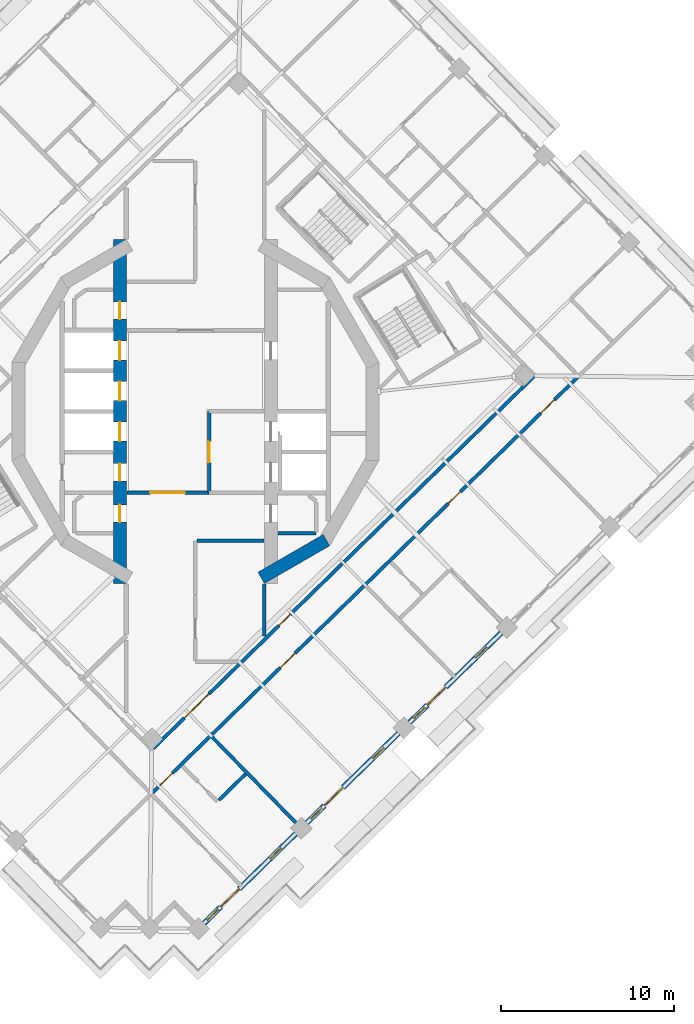
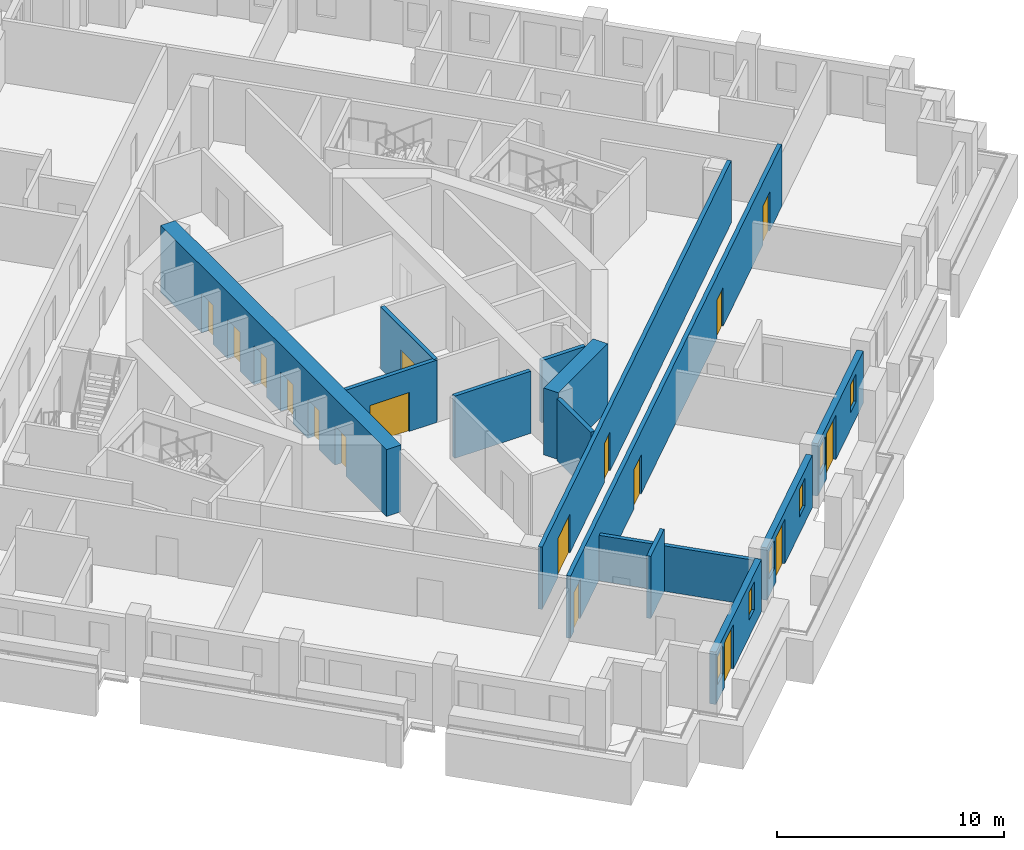
# One storey, part 6 of 17: 17 doors, 14 walls, 6 windows, 23 openings.
"""IFC4 building model written with IfcOpenShell, lengths in metres."""

from ifc_helpers import new_model, si_unit, direction, frame, frame_2d, origin, place, context, subcontext, project, spatial, rectangle, extrude, material, layer, layer_set, type_object, element, fill, save


model = new_model("IFC4")

# Units and contexts
model_context = context("Model", 3, precision=1e-05, world=origin(), true_north=direction((0.0, 1.0)))
body_context = subcontext(model_context, "Body", "Model", "MODEL_VIEW")
ifc_project = project(units=[si_unit("LENGTHUNIT", "METRE"), si_unit("AREAUNIT", "SQUARE_METRE"), si_unit("VOLUMEUNIT", "CUBIC_METRE"), si_unit("PLANEANGLEUNIT", "RADIAN"), si_unit("MASSUNIT", "GRAM", prefix="KILO")], contexts=[model_context])

# Site, building, storey
site_placement = place(None, origin())
site = spatial("IfcSite", under=ifc_project, at=site_placement, CompositionType="ELEMENT")
building_placement = place(site_placement, origin())
building = spatial("IfcBuilding", under=site, at=building_placement, Name="Cantera Rosa Tower", CompositionType="ELEMENT")
storey_placement = place(building_placement, frame((0.0, 0.0, 227.0)))
storey = spatial("IfcBuildingStorey", under=building, at=storey_placement, Name="L49", CompositionType="ELEMENT", Elevation=227.0)

# Wall, openings, doors
ifc_material_1 = material(Name="Gypsum board partition")
ifc_layer_1 = layer(ifc_material_1, 0.199951171875)
ifc_layer_set_1 = layer_set([ifc_layer_1], Name="CORRIDOR WALL 200 H3350")
wall_type_1 = type_object("IfcWallType", Name="CORRIDOR WALL 200 H3350", PredefinedType="PARTITIONING", material=ifc_layer_set_1)
wall_1_placement = place(storey_placement, frame((-2.469970703125, -22.0556640625, 0.0), z_axis=(0.0, 0.0, 1.0), x_axis=(0.715286619748, 0.698831203946, 0.0)))
wall_1 = element("IfcWall", 1, at=wall_1_placement, inside=storey, type_object=wall_type_1, Name="CORRIDOR WALL L49-054", PredefinedType="PARTITIONING", context=body_context, shape_type="SweptSolid", body=[
    extrude(rectangle(XDim=34.47998046875, YDim=0.199951171875, at=frame_2d((17.239990234375, 0.0))), origin(), (0.0, 0.0, 1.0), 3.35009765625),
])
opening_1_placement = place(wall_1_placement, frame((10.340087890625, 0.0, 0.0)))
opening_1 = element("IfcOpeningElement", 2, at=opening_1_placement, cuts=wall_1, Name="Opening L49-043", PredefinedType="OPENING", context=body_context, shape_type="SweptSolid", body=[
    extrude(rectangle(XDim=1.199951171875, YDim=2.10009765625, at=frame_2d((0.60009765625, 1.050048828125))), frame((0.0, 0.10986328125, 0.0), z_axis=(0.0, -1.0, 0.0), x_axis=(1.0, 0.0, 0.0)), (0.0, 0.0, 1.0), 0.219970703125),
])
opening_2_placement = place(wall_1_placement, frame((23.919921875, 0.0, 0.0)))
opening_2 = element("IfcOpeningElement", 3, at=opening_2_placement, cuts=wall_1, Name="Opening L49-044", PredefinedType="OPENING", context=body_context, shape_type="SweptSolid", body=[
    extrude(rectangle(XDim=1.0, YDim=2.10009765625, at=frame_2d((0.5, 1.050048828125))), frame((0.0, 0.10986328125, 0.0), z_axis=(0.0, -1.0, 0.0), x_axis=(1.0, 0.0, 0.0)), (0.0, 0.0, 1.0), 0.219970703125),
])
opening_3_placement = place(wall_1_placement, frame((0.590087890625, 0.0, 0.0)))
opening_3 = element("IfcOpeningElement", 4, at=opening_3_placement, cuts=wall_1, Name="Opening L49-047", PredefinedType="OPENING", context=body_context, shape_type="SweptSolid", body=[
    extrude(rectangle(XDim=1.0, YDim=2.10009765625, at=frame_2d((0.5, 1.050048828125))), frame((0.0, 0.10986328125, 0.0), z_axis=(0.0, -1.0, 0.0), x_axis=(1.0, 0.0, 0.0)), (0.0, 0.0, 1.0), 0.219970703125),
])
opening_4_placement = place(wall_1_placement, frame((31.429931640625, 0.0, 0.0)))
opening_4 = element("IfcOpeningElement", 5, at=opening_4_placement, cuts=wall_1, Name="Opening L49-050", PredefinedType="OPENING", context=body_context, shape_type="SweptSolid", body=[
    extrude(rectangle(XDim=1.10009765625, YDim=2.10009765625, at=frame_2d((0.550048828125, 1.050048828125))), frame((0.0, 0.10986328125, 0.0), z_axis=(0.0, -1.0, 0.0), x_axis=(1.0, 0.0, 0.0)), (0.0, 0.0, 1.0), 0.219970703125),
])
ifc_material_2 = material(Name="Timber door leaf", Category="wood")
door_type_1 = type_object("IfcDoorType", Name="ENTRANCE DOOR 1000x2100", OperationType="NOTDEFINED", PredefinedType="DOOR", material=ifc_material_2)
door_1_placement = place(opening_2_placement, origin())
door_1 = element("IfcDoor", 6, at=door_1_placement, inside=storey, type_object=door_type_1, Name="DOOR L49-044", OperationType="NOTDEFINED", OverallHeight=2.10009765625, OverallWidth=1.0, PredefinedType="DOOR", context=body_context, shape_type="SweptSolid", body=[
    extrude(rectangle(XDim=1.0, YDim=2.10009765625, at=frame_2d((0.5, 1.050048828125))), frame((0.0, 0.02490234375, 0.0), z_axis=(0.0, -1.0, 0.0), x_axis=(1.0, 0.0, 0.0)), (0.0, 0.0, 1.0), 0.050048828125),
])
fill(opening_2, door_1)
door_2_placement = place(opening_3_placement, origin())
door_2 = element("IfcDoor", 7, at=door_2_placement, inside=storey, type_object=door_type_1, Name="DOOR L49-047", OperationType="NOTDEFINED", OverallHeight=2.10009765625, OverallWidth=1.0, PredefinedType="DOOR", context=body_context, shape_type="SweptSolid", body=[
    extrude(rectangle(XDim=1.0, YDim=2.10009765625, at=frame_2d((0.5, 1.050048828125))), frame((0.0, 0.02490234375, 0.0), z_axis=(0.0, -1.0, 0.0), x_axis=(1.0, 0.0, 0.0)), (0.0, 0.0, 1.0), 0.050048828125),
])
fill(opening_3, door_2)
ifc_material_3 = material(Name="Timber door leaf", Category="wood")
door_type_2 = type_object("IfcDoorType", Name="ROOM DOOR 1100x2100", OperationType="NOTDEFINED", PredefinedType="DOOR", material=ifc_material_3)
door_3_placement = place(opening_4_placement, origin())
door_3 = element("IfcDoor", 8, at=door_3_placement, inside=storey, type_object=door_type_2, Name="DOOR L49-050", OperationType="NOTDEFINED", OverallHeight=2.10009765625, OverallWidth=1.10009765625, PredefinedType="DOOR", context=body_context, shape_type="SweptSolid", body=[
    extrude(rectangle(XDim=1.10009765625, YDim=2.10009765625, at=frame_2d((0.550048828125, 1.050048828125))), frame((0.0, 0.02490234375, 0.0), z_axis=(0.0, -1.0, 0.0), x_axis=(1.0, 0.0, 0.0)), (0.0, 0.0, 1.0), 0.050048828125),
])
fill(opening_4, door_3)
ifc_material_4 = material(Name="Timber door leaf", Category="wood")
door_type_3 = type_object("IfcDoorType", Name="ROOM DOOR 1200x2100", OperationType="NOTDEFINED", PredefinedType="DOOR", material=ifc_material_4)
door_4_placement = place(opening_1_placement, origin())
door_4 = element("IfcDoor", 9, at=door_4_placement, inside=storey, type_object=door_type_3, Name="DOOR L49-043", OperationType="NOTDEFINED", OverallHeight=2.10009765625, OverallWidth=1.199951171875, PredefinedType="DOOR", context=body_context, shape_type="SweptSolid", body=[
    extrude(rectangle(XDim=1.199951171875, YDim=2.10009765625, at=frame_2d((0.60009765625, 1.050048828125))), frame((0.0, 0.02490234375, 0.0), z_axis=(0.0, -1.0, 0.0), x_axis=(1.0, 0.0, 0.0)), (0.0, 0.0, 1.0), 0.050048828125),
])
fill(opening_1, door_4)

wall_2_placement = place(storey_placement, frame((-2.4404296875, -19.51025390625, 0.0), z_axis=(0.0, 0.0, 1.0), x_axis=(0.715289138653, 0.698828625719, 0.0)))
wall_2 = element("IfcWall", 10, at=wall_2_placement, inside=storey, type_object=wall_type_1, Name="CORRIDOR WALL L49-055", PredefinedType="PARTITIONING", context=body_context, shape_type="SweptSolid", body=[
    extrude(rectangle(XDim=30.880126953125, YDim=0.199951171875, at=frame_2d((15.43994140625, 0.0))), origin(), (0.0, 0.0, 1.0), 3.35009765625),
])
opening_5_placement = place(wall_2_placement, frame((10.1845703125, 0.0, 0.0)))
opening_5 = element("IfcOpeningElement", 11, at=opening_5_placement, cuts=wall_2, Name="Opening L49-012", PredefinedType="OPENING", context=body_context, shape_type="SweptSolid", body=[
    extrude(rectangle(XDim=0.89990234375, YDim=2.10009765625, at=frame_2d((0.449951171875, 1.050048828125))), frame((0.0, 0.10986328125, 0.0), z_axis=(0.0, -1.0, 0.0), x_axis=(1.0, 0.0, 0.0)), (0.0, 0.0, 1.0), 0.219970703125),
])
opening_6_placement = place(wall_2_placement, frame((2.52490234375, 0.0, 0.0)))
opening_6 = element("IfcOpeningElement", 12, at=opening_6_placement, cuts=wall_2, Name="Opening L49-015", PredefinedType="OPENING", context=body_context, shape_type="SweptSolid", body=[
    extrude(rectangle(XDim=2.0, YDim=2.10009765625, at=frame_2d((1.0, 1.050048828125))), frame((0.0, 0.10986328125, 0.0), z_axis=(0.0, -1.0, 0.0), x_axis=(1.0, 0.0, 0.0)), (0.0, 0.0, 1.0), 0.219970703125),
])
ifc_material_5 = material(Name="Steel S355J2 (EN 10025-2)", Category="steel")
door_type_4 = type_object("IfcDoorType", Name="LOBBY SCREEN DOOR 2000x2100", OperationType="NOTDEFINED", PredefinedType="DOOR", material=ifc_material_5)
door_5_placement = place(opening_6_placement, origin())
door_5 = element("IfcDoor", 13, at=door_5_placement, inside=storey, type_object=door_type_4, Name="DOOR L49-015", OperationType="NOTDEFINED", OverallHeight=2.10009765625, OverallWidth=2.0, PredefinedType="DOOR", context=body_context, shape_type="SweptSolid", body=[
    extrude(rectangle(XDim=2.0, YDim=2.10009765625, at=frame_2d((1.0, 1.050048828125))), frame((0.0, 0.02490234375, 0.0), z_axis=(0.0, -1.0, 0.0), x_axis=(1.0, 0.0, 0.0)), (0.0, 0.0, 1.0), 0.050048828125),
])
fill(opening_6, door_5)
ifc_material_6 = material(Name="Timber door leaf", Category="wood")
door_type_5 = type_object("IfcDoorType", Name="SERVICE DOOR 900x2100", OperationType="NOTDEFINED", PredefinedType="DOOR", material=ifc_material_6)
door_6_placement = place(opening_5_placement, origin())
door_6 = element("IfcDoor", 14, at=door_6_placement, inside=storey, type_object=door_type_5, Name="DOOR L49-012", OperationType="NOTDEFINED", OverallHeight=2.10009765625, OverallWidth=0.89990234375, PredefinedType="DOOR", context=body_context, shape_type="SweptSolid", body=[
    extrude(rectangle(XDim=0.89990234375, YDim=2.10009765625, at=frame_2d((0.449951171875, 1.050048828125))), frame((0.0, 0.02490234375, 0.0), z_axis=(0.0, -1.0, 0.0), x_axis=(1.0, 0.0, 0.0)), (0.0, 0.0, 1.0), 0.050048828125),
])
fill(opening_5, door_6)

# Wall, opening, door
wall_3_placement = place(storey_placement, frame((0.800048828125, -4.699951171875, 0.0), z_axis=(0.0, 0.0, 1.0), x_axis=(-1.0, 0.0, 0.0)))
wall_3 = element("IfcWall", 15, at=wall_3_placement, inside=storey, type_object=wall_type_1, Name="CORRIDOR WALL L49-062", PredefinedType="PARTITIONING", context=body_context, shape_type="SweptSolid", body=[
    extrude(rectangle(XDim=4.77001953125, YDim=0.199951171875, at=frame_2d((2.385009765625, 0.0))), origin(), (0.0, 0.0, 1.0), 3.35009765625),
])
opening_7_placement = place(wall_3_placement, frame((1.39990234375, 0.0, 0.0)))
opening_7 = element("IfcOpeningElement", 16, at=opening_7_placement, cuts=wall_3, Name="Opening L49-016", PredefinedType="OPENING", context=body_context, shape_type="SweptSolid", body=[
    extrude(rectangle(XDim=2.0, YDim=2.10009765625, at=frame_2d((1.0, 1.050048828125))), frame((0.0, 0.10986328125, 0.0), z_axis=(0.0, -1.0, 0.0), x_axis=(1.0, 0.0, 0.0)), (0.0, 0.0, 1.0), 0.219970703125),
])
door_7_placement = place(opening_7_placement, origin())
door_7 = element("IfcDoor", 17, at=door_7_placement, inside=storey, type_object=door_type_4, Name="DOOR L49-016", OperationType="NOTDEFINED", OverallHeight=2.10009765625, OverallWidth=2.0, PredefinedType="DOOR", context=body_context, shape_type="SweptSolid", body=[
    extrude(rectangle(XDim=2.0, YDim=2.10009765625, at=frame_2d((1.0, 1.050048828125))), frame((0.0, 0.02490234375, 0.0), z_axis=(0.0, -1.0, 0.0), x_axis=(1.0, 0.0, 0.0)), (0.0, 0.0, 1.0), 0.050048828125),
])
fill(opening_7, door_7)

# Wall
wall_4_placement = place(storey_placement, frame((3.969970703125, -7.5, 0.0), z_axis=(0.0, 0.0, 1.0), x_axis=(-1.0, 0.0, 0.0)))
element("IfcWall", 18, at=wall_4_placement, inside=storey, type_object=wall_type_1, Name="CORRIDOR WALL L49-071", PredefinedType="PARTITIONING", context=body_context, shape_type="SweptSolid", body=[
    extrude(rectangle(XDim=3.869873046875, YDim=0.199951171875, at=frame_2d((1.93505859375, 0.0))), origin(), (0.0, 0.0, 1.0), 3.35009765625),
])

# Wall, openings, windows, door
ifc_material_7 = material(Name="Hollow clay masonry with cantera stone cladding", Category="masonry")
ifc_layer_2 = layer(ifc_material_7, 0.300048828125)
ifc_layer_set_2 = layer_set([ifc_layer_2], Name="EW-LOGGIA 300 H2820")
wall_type_2 = type_object("IfcWallType", Name="EW-LOGGIA 300 H2820", PredefinedType="SOLIDWALL", material=ifc_layer_set_2)
wall_5_placement = place(storey_placement, frame((0.503662109375, -29.6357421875, 0.0), z_axis=(0.0, 0.0, 1.0), x_axis=(0.715284379566, 0.698833496871, 0.0)))
wall_5 = element("IfcWall", 19, at=wall_5_placement, inside=storey, type_object=wall_type_2, Name="EN-L49-W21", PredefinedType="SOLIDWALL", context=body_context, shape_type="SweptSolid", body=[
    extrude(rectangle(XDim=7.42041015625, YDim=0.300048828125, at=frame_2d((3.710205078125, 0.0))), origin(), (0.0, 0.0, 1.0), 2.820068359375),
])
opening_8_placement = place(wall_5_placement, frame((0.25, 0.0, 0.89990234375)))
opening_8 = element("IfcOpeningElement", 20, at=opening_8_placement, cuts=wall_5, Name="Opening L49-W37", PredefinedType="OPENING", context=body_context, shape_type="SweptSolid", body=[
    extrude(rectangle(XDim=0.89990234375, YDim=1.5, at=frame_2d((0.449951171875, 0.75))), frame((0.0, 0.159912109375, 0.0), z_axis=(0.0, -1.0, 0.0), x_axis=(1.0, 0.0, 0.0)), (0.0, 0.0, 1.0), 0.320068359375),
])
opening_9_placement = place(wall_5_placement, frame((1.35009765625, 0.0, 0.0)))
opening_9 = element("IfcOpeningElement", 21, at=opening_9_placement, cuts=wall_5, Name="Opening L49-TD38", PredefinedType="OPENING", context=body_context, shape_type="SweptSolid", body=[
    extrude(rectangle(XDim=1.5, YDim=2.39990234375, at=frame_2d((0.75, 1.199951171875))), frame((0.0, 0.159912109375, 0.0), z_axis=(0.0, -1.0, 0.0), x_axis=(1.0, 0.0, 0.0)), (0.0, 0.0, 1.0), 0.320068359375),
])
opening_10_placement = place(wall_5_placement, frame((5.340087890625, 0.0, 0.89990234375)))
opening_10 = element("IfcOpeningElement", 22, at=opening_10_placement, cuts=wall_5, Name="Opening L49-W39", PredefinedType="OPENING", context=body_context, shape_type="SweptSolid", body=[
    extrude(rectangle(XDim=0.89990234375, YDim=1.5, at=frame_2d((0.449951171875, 0.75))), frame((0.0, 0.159912109375, 0.0), z_axis=(0.0, -1.0, 0.0), x_axis=(1.0, 0.0, 0.0)), (0.0, 0.0, 1.0), 0.320068359375),
])
ifc_material_8 = material(Name="Aluminium frame with clear glass", Category="aluminium")
window_type = type_object("IfcWindowType", Name="Residential window 900x1500", PartitioningType="SINGLE_PANEL", PredefinedType="WINDOW", material=ifc_material_8)
window_1_placement = place(opening_8_placement, origin())
window_1 = element("IfcWindow", 23, at=window_1_placement, inside=storey, type_object=window_type, Name="WINDOW L49-W37", OverallHeight=1.5, OverallWidth=0.89990234375, PartitioningType="SINGLE_PANEL", PredefinedType="WINDOW", context=body_context, shape_type="SweptSolid", body=[
    extrude(rectangle(XDim=0.89990234375, YDim=1.5, at=frame_2d((0.449951171875, 0.75))), frame((0.0, 0.030029296875, 0.0), z_axis=(0.0, -1.0, 0.0), x_axis=(1.0, 0.0, 0.0)), (0.0, 0.0, 1.0), 0.06005859375),
])
fill(opening_8, window_1)
window_2_placement = place(opening_10_placement, origin())
window_2 = element("IfcWindow", 24, at=window_2_placement, inside=storey, type_object=window_type, Name="WINDOW L49-W39", OverallHeight=1.5, OverallWidth=0.89990234375, PartitioningType="SINGLE_PANEL", PredefinedType="WINDOW", context=body_context, shape_type="SweptSolid", body=[
    extrude(rectangle(XDim=0.89990234375, YDim=1.5, at=frame_2d((0.449951171875, 0.75))), frame((0.0, 0.030029296875, 0.0), z_axis=(0.0, -1.0, 0.0), x_axis=(1.0, 0.0, 0.0)), (0.0, 0.0, 1.0), 0.06005859375),
])
fill(opening_10, window_2)
ifc_material_9 = material(Name="Aluminium frame with clear glass", Category="aluminium")
door_type_6 = type_object("IfcDoorType", Name="TD-R 1500x2400", OperationType="NOTDEFINED", PredefinedType="DOOR", material=ifc_material_9)
door_8_placement = place(opening_9_placement, origin())
door_8 = element("IfcDoor", 25, at=door_8_placement, inside=storey, type_object=door_type_6, Name="LOGGIA DOOR L49-TD38", OperationType="SLIDING_TO_LEFT", OverallHeight=2.39990234375, OverallWidth=1.5, PredefinedType="DOOR", context=body_context, shape_type="SweptSolid", body=[
    extrude(rectangle(XDim=1.5, YDim=2.39990234375, at=frame_2d((0.75, 1.199951171875))), frame((0.0, 0.02490234375, 0.0), z_axis=(0.0, -1.0, 0.0), x_axis=(1.0, 0.0, 0.0)), (0.0, 0.0, 1.0), 0.050048828125),
])
fill(opening_9, door_8)

wall_6_placement = place(storey_placement, frame((6.454833984375, -23.8212890625, 0.0), z_axis=(0.0, 0.0, 1.0), x_axis=(0.715300826176, 0.698816662703, 0.0)))
wall_6 = element("IfcWall", 26, at=wall_6_placement, inside=storey, type_object=wall_type_2, Name="EN-L49-W22", PredefinedType="SOLIDWALL", context=body_context, shape_type="SweptSolid", body=[
    extrude(rectangle(XDim=7.420166015625, YDim=0.300048828125, at=frame_2d((3.7099609375, 0.0))), origin(), (0.0, 0.0, 1.0), 2.820068359375),
])
opening_11_placement = place(wall_6_placement, frame((0.330078125, 0.0, 0.89990234375)))
opening_11 = element("IfcOpeningElement", 27, at=opening_11_placement, cuts=wall_6, Name="Opening L49-W40", PredefinedType="OPENING", context=body_context, shape_type="SweptSolid", body=[
    extrude(rectangle(XDim=0.89990234375, YDim=1.5, at=frame_2d((0.449951171875, 0.75))), frame((0.0, 0.159912109375, 0.0), z_axis=(0.0, -1.0, 0.0), x_axis=(1.0, 0.0, 0.0)), (0.0, 0.0, 1.0), 0.320068359375),
])
opening_12_placement = place(wall_6_placement, frame((1.429931640625, 0.0, 0.0)))
opening_12 = element("IfcOpeningElement", 28, at=opening_12_placement, cuts=wall_6, Name="Opening L49-TD41", PredefinedType="OPENING", context=body_context, shape_type="SweptSolid", body=[
    extrude(rectangle(XDim=1.5, YDim=2.39990234375, at=frame_2d((0.75, 1.199951171875))), frame((0.0, 0.159912109375, 0.0), z_axis=(0.0, -1.0, 0.0), x_axis=(1.0, 0.0, 0.0)), (0.0, 0.0, 1.0), 0.320068359375),
])
opening_13_placement = place(wall_6_placement, frame((5.340087890625, 0.0, 0.89990234375)))
opening_13 = element("IfcOpeningElement", 29, at=opening_13_placement, cuts=wall_6, Name="Opening L49-W42", PredefinedType="OPENING", context=body_context, shape_type="SweptSolid", body=[
    extrude(rectangle(XDim=0.89990234375, YDim=1.5, at=frame_2d((0.449951171875, 0.75))), frame((0.0, 0.159912109375, 0.0), z_axis=(0.0, -1.0, 0.0), x_axis=(1.0, 0.0, 0.0)), (0.0, 0.0, 1.0), 0.320068359375),
])
window_3_placement = place(opening_11_placement, origin())
window_3 = element("IfcWindow", 30, at=window_3_placement, inside=storey, type_object=window_type, Name="WINDOW L49-W40", OverallHeight=1.5, OverallWidth=0.89990234375, PartitioningType="SINGLE_PANEL", PredefinedType="WINDOW", context=body_context, shape_type="SweptSolid", body=[
    extrude(rectangle(XDim=0.89990234375, YDim=1.5, at=frame_2d((0.449951171875, 0.75))), frame((0.0, 0.030029296875, 0.0), z_axis=(0.0, -1.0, 0.0), x_axis=(1.0, 0.0, 0.0)), (0.0, 0.0, 1.0), 0.06005859375),
])
fill(opening_11, window_3)
window_4_placement = place(opening_13_placement, origin())
window_4 = element("IfcWindow", 31, at=window_4_placement, inside=storey, type_object=window_type, Name="WINDOW L49-W42", OverallHeight=1.5, OverallWidth=0.89990234375, PartitioningType="SINGLE_PANEL", PredefinedType="WINDOW", context=body_context, shape_type="SweptSolid", body=[
    extrude(rectangle(XDim=0.89990234375, YDim=1.5, at=frame_2d((0.449951171875, 0.75))), frame((0.0, 0.030029296875, 0.0), z_axis=(0.0, -1.0, 0.0), x_axis=(1.0, 0.0, 0.0)), (0.0, 0.0, 1.0), 0.06005859375),
])
fill(opening_13, window_4)
door_9_placement = place(opening_12_placement, origin())
door_9 = element("IfcDoor", 32, at=door_9_placement, inside=storey, type_object=door_type_6, Name="LOGGIA DOOR L49-TD41", OperationType="SLIDING_TO_LEFT", OverallHeight=2.39990234375, OverallWidth=1.5, PredefinedType="DOOR", context=body_context, shape_type="SweptSolid", body=[
    extrude(rectangle(XDim=1.5, YDim=2.39990234375, at=frame_2d((0.75, 1.199951171875))), frame((0.0, 0.02490234375, 0.0), z_axis=(0.0, -1.0, 0.0), x_axis=(1.0, 0.0, 0.0)), (0.0, 0.0, 1.0), 0.050048828125),
])
fill(opening_12, door_9)

wall_7_placement = place(storey_placement, frame((12.406005859375, -18.007080078125, 0.0), z_axis=(0.0, 0.0, 1.0), x_axis=(0.715300826176, 0.698816662703, 0.0)))
wall_7 = element("IfcWall", 33, at=wall_7_placement, inside=storey, type_object=wall_type_2, Name="EN-L49-W23", PredefinedType="SOLIDWALL", context=body_context, shape_type="SweptSolid", body=[
    extrude(rectangle(XDim=7.420166015625, YDim=0.300048828125, at=frame_2d((3.7099609375, 0.0))), origin(), (0.0, 0.0, 1.0), 2.820068359375),
])
opening_14_placement = place(wall_7_placement, frame((0.330078125, 0.0, 0.89990234375)))
opening_14 = element("IfcOpeningElement", 34, at=opening_14_placement, cuts=wall_7, Name="Opening L49-W43", PredefinedType="OPENING", context=body_context, shape_type="SweptSolid", body=[
    extrude(rectangle(XDim=0.89990234375, YDim=1.5, at=frame_2d((0.449951171875, 0.75))), frame((0.0, 0.159912109375, 0.0), z_axis=(0.0, -1.0, 0.0), x_axis=(1.0, 0.0, 0.0)), (0.0, 0.0, 1.0), 0.320068359375),
])
opening_15_placement = place(wall_7_placement, frame((1.429931640625, 0.0, 0.0)))
opening_15 = element("IfcOpeningElement", 35, at=opening_15_placement, cuts=wall_7, Name="Opening L49-TD44", PredefinedType="OPENING", context=body_context, shape_type="SweptSolid", body=[
    extrude(rectangle(XDim=1.5, YDim=2.39990234375, at=frame_2d((0.75, 1.199951171875))), frame((0.0, 0.159912109375, 0.0), z_axis=(0.0, -1.0, 0.0), x_axis=(1.0, 0.0, 0.0)), (0.0, 0.0, 1.0), 0.320068359375),
])
opening_16_placement = place(wall_7_placement, frame((5.340087890625, 0.0, 0.89990234375)))
opening_16 = element("IfcOpeningElement", 36, at=opening_16_placement, cuts=wall_7, Name="Opening L49-W45", PredefinedType="OPENING", context=body_context, shape_type="SweptSolid", body=[
    extrude(rectangle(XDim=0.89990234375, YDim=1.5, at=frame_2d((0.449951171875, 0.75))), frame((0.0, 0.159912109375, 0.0), z_axis=(0.0, -1.0, 0.0), x_axis=(1.0, 0.0, 0.0)), (0.0, 0.0, 1.0), 0.320068359375),
])
window_5_placement = place(opening_14_placement, origin())
window_5 = element("IfcWindow", 37, at=window_5_placement, inside=storey, type_object=window_type, Name="WINDOW L49-W43", OverallHeight=1.5, OverallWidth=0.89990234375, PartitioningType="SINGLE_PANEL", PredefinedType="WINDOW", context=body_context, shape_type="SweptSolid", body=[
    extrude(rectangle(XDim=0.89990234375, YDim=1.5, at=frame_2d((0.449951171875, 0.75))), frame((0.0, 0.030029296875, 0.0), z_axis=(0.0, -1.0, 0.0), x_axis=(1.0, 0.0, 0.0)), (0.0, 0.0, 1.0), 0.06005859375),
])
fill(opening_14, window_5)
window_6_placement = place(opening_16_placement, origin())
window_6 = element("IfcWindow", 38, at=window_6_placement, inside=storey, type_object=window_type, Name="WINDOW L49-W45", OverallHeight=1.5, OverallWidth=0.89990234375, PartitioningType="SINGLE_PANEL", PredefinedType="WINDOW", context=body_context, shape_type="SweptSolid", body=[
    extrude(rectangle(XDim=0.89990234375, YDim=1.5, at=frame_2d((0.449951171875, 0.75))), frame((0.0, 0.030029296875, 0.0), z_axis=(0.0, -1.0, 0.0), x_axis=(1.0, 0.0, 0.0)), (0.0, 0.0, 1.0), 0.06005859375),
])
fill(opening_16, window_6)
door_10_placement = place(opening_15_placement, origin())
door_10 = element("IfcDoor", 39, at=door_10_placement, inside=storey, type_object=door_type_6, Name="LOGGIA DOOR L49-TD44", OperationType="SLIDING_TO_LEFT", OverallHeight=2.39990234375, OverallWidth=1.5, PredefinedType="DOOR", context=body_context, shape_type="SweptSolid", body=[
    extrude(rectangle(XDim=1.5, YDim=2.39990234375, at=frame_2d((0.75, 1.199951171875))), frame((0.0, 0.02490234375, 0.0), z_axis=(0.0, -1.0, 0.0), x_axis=(1.0, 0.0, 0.0)), (0.0, 0.0, 1.0), 0.050048828125),
])
fill(opening_15, door_10)

# Walls
ifc_material_10 = material(Name="Gypsum board partition")
ifc_layer_3 = layer(ifc_material_10, 0.199951171875)
ifc_layer_set_3 = layer_set([ifc_layer_3], Name="PARTITION 200 H3350")
wall_type_3 = type_object("IfcWallType", Name="PARTITION 200 H3350", PredefinedType="PARTITIONING", material=ifc_layer_set_3)
wall_8_placement = place(storey_placement, frame((2.916748046875, -20.98681640625, 0.0), z_axis=(0.0, 0.0, 1.0), x_axis=(-0.715234272025, -0.69888478029, 0.0)))
element("IfcWall", 40, at=wall_8_placement, inside=storey, type_object=wall_type_3, Name="PARTITION L49-070", PredefinedType="PARTITIONING", context=body_context, shape_type="SweptSolid", body=[
    extrude(rectangle(XDim=2.18017578125, YDim=0.199951171875, at=frame_2d((1.090087890625, 0.0))), origin(), (0.0, 0.0, 1.0), 3.35009765625),
])
wall_9_placement = place(storey_placement, frame((4.0, -12.998046875, 0.0), z_axis=(0.0, 0.0, 1.0), x_axis=(0.0, 1.0, 0.0)))
element("IfcWall", 41, at=wall_9_placement, inside=storey, type_object=wall_type_3, Name="PARTITION L49-073", PredefinedType="PARTITIONING", context=body_context, shape_type="SweptSolid", body=[
    extrude(rectangle(XDim=3.00390625, YDim=0.199951171875, at=frame_2d((1.501953125, 0.0))), origin(), (0.0, 0.0, 1.0), 3.35009765625),
])
wall_10_placement = place(storey_placement, frame((7.0, -7.050048828125, 0.0), z_axis=(0.0, 0.0, 1.0), x_axis=(-1.0, 0.0, 0.0)))
element("IfcWall", 42, at=wall_10_placement, inside=storey, type_object=wall_type_3, Name="PARTITION L49-083", PredefinedType="PARTITIONING", context=body_context, shape_type="SweptSolid", body=[
    extrude(rectangle(XDim=2.219970703125, YDim=0.199951171875, at=frame_2d((1.10986328125, 0.0))), origin(), (0.0, 0.0, 1.0), 3.35009765625),
])
ifc_material_11 = material(Name="Gypsum board partition")
ifc_layer_4 = layer(ifc_material_11, 0.199951171875)
ifc_layer_set_4 = layer_set([ifc_layer_4], Name="PARTY WALL 200 H2450")
wall_type_4 = type_object("IfcWallType", Name="PARTY WALL 200 H2450", PredefinedType="PARTITIONING", material=ifc_layer_set_4)
wall_11_placement = place(storey_placement, frame((6.112060546875, -24.114501953125, 0.0), z_axis=(0.0, 0.0, 1.0), x_axis=(-0.698821349183, 0.715296247667, 0.0)))
element("IfcWall", 43, at=wall_11_placement, inside=storey, type_object=wall_type_4, Name="PARTY WALL L49-080", PredefinedType="PARTITIONING", context=body_context, shape_type="SweptSolid", body=[
    extrude(rectangle(XDim=7.35009765625, YDim=0.199951171875, at=frame_2d((3.675048828125, 0.0))), origin(), (0.0, 0.0, 1.0), 2.449951171875),
])

# Wall, openings, doors
ifc_material_12 = material(Name="Concrete C60/75", Category="concrete")
ifc_layer_5 = layer(ifc_material_12, 0.75)
ifc_layer_set_5 = layer_set([ifc_layer_5], Name="RC CORE WALL 750 C60/75")
wall_type_5 = type_object("IfcWallType", Name="RC CORE WALL 750 C60/75", PredefinedType="SHEAR", material=ifc_layer_set_5)
wall_12_placement = place(storey_placement, frame((-4.375, 9.95947265625, 0.0), z_axis=(0.0, 0.0, 1.0), x_axis=(0.0, -1.0, 0.0)))
wall_12 = element("IfcWall", 44, at=wall_12_placement, inside=storey, type_object=wall_type_5, Name="CW-W6 L49", PredefinedType="SHEAR", context=body_context, shape_type="SweptSolid", body=[
    extrude(rectangle(XDim=19.9189453125, YDim=0.75, at=frame_2d((9.95947265625, 0.0))), origin(), (0.0, 0.0, 1.0), 3.60009765625),
])
opening_17_placement = place(wall_12_placement, frame((10.58447265625, 0.0, 0.0)))
opening_17 = element("IfcOpeningElement", 45, at=opening_17_placement, cuts=wall_12, Name="Opening LD-H1-L49", PredefinedType="OPENING", context=body_context, shape_type="SweptSolid", body=[
    extrude(rectangle(XDim=1.10009765625, YDim=2.10009765625, at=frame_2d((0.550048828125, 1.050048828125))), frame((0.0, 0.385009765625, 0.0), z_axis=(0.0, -1.0, 0.0), x_axis=(1.0, 0.0, 0.0)), (0.0, 0.0, 1.0), 0.77001953125),
])
opening_18_placement = place(wall_12_placement, frame((8.234619140625, 0.0, 0.0)))
opening_18 = element("IfcOpeningElement", 46, at=opening_18_placement, cuts=wall_12, Name="Opening LD-H2-L49", PredefinedType="OPENING", context=body_context, shape_type="SweptSolid", body=[
    extrude(rectangle(XDim=1.10009765625, YDim=2.10009765625, at=frame_2d((0.550048828125, 1.050048828125))), frame((0.0, 0.385009765625, 0.0), z_axis=(0.0, -1.0, 0.0), x_axis=(1.0, 0.0, 0.0)), (0.0, 0.0, 1.0), 0.77001953125),
])
opening_19_placement = place(wall_12_placement, frame((5.884521484375, 0.0, 0.0)))
opening_19 = element("IfcOpeningElement", 47, at=opening_19_placement, cuts=wall_12, Name="Opening LD-H3-L49", PredefinedType="OPENING", context=body_context, shape_type="SweptSolid", body=[
    extrude(rectangle(XDim=1.10009765625, YDim=2.10009765625, at=frame_2d((0.550048828125, 1.050048828125))), frame((0.0, 0.385009765625, 0.0), z_axis=(0.0, -1.0, 0.0), x_axis=(1.0, 0.0, 0.0)), (0.0, 0.0, 1.0), 0.77001953125),
])
opening_20_placement = place(wall_12_placement, frame((15.368408203125, 0.0, 0.0)))
opening_20 = element("IfcOpeningElement", 48, at=opening_20_placement, cuts=wall_12, Name="Opening SD-L49-20", PredefinedType="OPENING", context=body_context, shape_type="SweptSolid", body=[
    extrude(rectangle(XDim=1.0, YDim=2.10009765625, at=frame_2d((0.5, 1.050048828125))), frame((0.0, 0.385009765625, 0.0), z_axis=(0.0, -1.0, 0.0), x_axis=(1.0, 0.0, 0.0)), (0.0, 0.0, 1.0), 0.77001953125),
])
opening_21_placement = place(wall_12_placement, frame((3.618408203125, 0.0, 0.0)))
opening_21 = element("IfcOpeningElement", 49, at=opening_21_placement, cuts=wall_12, Name="Opening SD-L49-21", PredefinedType="OPENING", context=body_context, shape_type="SweptSolid", body=[
    extrude(rectangle(XDim=1.0, YDim=2.10009765625, at=frame_2d((0.5, 1.050048828125))), frame((0.0, 0.385009765625, 0.0), z_axis=(0.0, -1.0, 0.0), x_axis=(1.0, 0.0, 0.0)), (0.0, 0.0, 1.0), 0.77001953125),
])
opening_22_placement = place(wall_12_placement, frame((12.984619140625, 0.0, 0.0)))
opening_22 = element("IfcOpeningElement", 50, at=opening_22_placement, cuts=wall_12, Name="Opening SD-L49-22", PredefinedType="OPENING", context=body_context, shape_type="SweptSolid", body=[
    extrude(rectangle(XDim=1.0, YDim=2.10009765625, at=frame_2d((0.5, 1.050048828125))), frame((0.0, 0.385009765625, 0.0), z_axis=(0.0, -1.0, 0.0), x_axis=(1.0, 0.0, 0.0)), (0.0, 0.0, 1.0), 0.77001953125),
])
ifc_material_13 = material(Name="Steel S355J2 (EN 10025-2)", Category="steel")
door_type_7 = type_object("IfcDoorType", Name="LANDING DOOR 1100x2100", OperationType="NOTDEFINED", PredefinedType="DOOR", material=ifc_material_13)
door_11_placement = place(opening_17_placement, origin())
door_11 = element("IfcDoor", 51, at=door_11_placement, inside=storey, type_object=door_type_7, Name="LANDING DOOR H1 L49", OperationType="SLIDING_TO_LEFT", OverallHeight=2.10009765625, OverallWidth=1.10009765625, PredefinedType="DOOR", context=body_context, shape_type="SweptSolid", body=[
    extrude(rectangle(XDim=1.10009765625, YDim=2.10009765625, at=frame_2d((0.550048828125, 1.050048828125))), frame((0.0, 0.02490234375, 0.0), z_axis=(0.0, -1.0, 0.0), x_axis=(1.0, 0.0, 0.0)), (0.0, 0.0, 1.0), 0.050048828125),
])
fill(opening_17, door_11)
door_12_placement = place(opening_18_placement, origin())
door_12 = element("IfcDoor", 52, at=door_12_placement, inside=storey, type_object=door_type_7, Name="LANDING DOOR H2 L49", OperationType="SLIDING_TO_LEFT", OverallHeight=2.10009765625, OverallWidth=1.10009765625, PredefinedType="DOOR", context=body_context, shape_type="SweptSolid", body=[
    extrude(rectangle(XDim=1.10009765625, YDim=2.10009765625, at=frame_2d((0.550048828125, 1.050048828125))), frame((0.0, 0.02490234375, 0.0), z_axis=(0.0, -1.0, 0.0), x_axis=(1.0, 0.0, 0.0)), (0.0, 0.0, 1.0), 0.050048828125),
])
fill(opening_18, door_12)
door_13_placement = place(opening_19_placement, origin())
door_13 = element("IfcDoor", 53, at=door_13_placement, inside=storey, type_object=door_type_7, Name="LANDING DOOR H3 L49", OperationType="SLIDING_TO_LEFT", OverallHeight=2.10009765625, OverallWidth=1.10009765625, PredefinedType="DOOR", context=body_context, shape_type="SweptSolid", body=[
    extrude(rectangle(XDim=1.10009765625, YDim=2.10009765625, at=frame_2d((0.550048828125, 1.050048828125))), frame((0.0, 0.02490234375, 0.0), z_axis=(0.0, -1.0, 0.0), x_axis=(1.0, 0.0, 0.0)), (0.0, 0.0, 1.0), 0.050048828125),
])
fill(opening_19, door_13)
ifc_material_14 = material(Name="Timber door leaf", Category="wood")
door_type_8 = type_object("IfcDoorType", Name="SERVICE DOOR 1000x2100", OperationType="NOTDEFINED", PredefinedType="DOOR", material=ifc_material_14)
door_14_placement = place(opening_20_placement, origin())
door_14 = element("IfcDoor", 54, at=door_14_placement, inside=storey, type_object=door_type_8, Name="DOOR L49-SD20", OperationType="NOTDEFINED", OverallHeight=2.10009765625, OverallWidth=1.0, PredefinedType="DOOR", context=body_context, shape_type="SweptSolid", body=[
    extrude(rectangle(XDim=1.0, YDim=2.10009765625, at=frame_2d((0.5, 1.050048828125))), frame((0.0, 0.02490234375, 0.0), z_axis=(0.0, -1.0, 0.0), x_axis=(1.0, 0.0, 0.0)), (0.0, 0.0, 1.0), 0.050048828125),
])
fill(opening_20, door_14)
door_15_placement = place(opening_21_placement, origin())
door_15 = element("IfcDoor", 55, at=door_15_placement, inside=storey, type_object=door_type_8, Name="DOOR L49-SD21", OperationType="NOTDEFINED", OverallHeight=2.10009765625, OverallWidth=1.0, PredefinedType="DOOR", context=body_context, shape_type="SweptSolid", body=[
    extrude(rectangle(XDim=1.0, YDim=2.10009765625, at=frame_2d((0.5, 1.050048828125))), frame((0.0, 0.02490234375, 0.0), z_axis=(0.0, -1.0, 0.0), x_axis=(1.0, 0.0, 0.0)), (0.0, 0.0, 1.0), 0.050048828125),
])
fill(opening_21, door_15)
door_16_placement = place(opening_22_placement, origin())
door_16 = element("IfcDoor", 56, at=door_16_placement, inside=storey, type_object=door_type_8, Name="DOOR L49-SD22", OperationType="NOTDEFINED", OverallHeight=2.10009765625, OverallWidth=1.0, PredefinedType="DOOR", context=body_context, shape_type="SweptSolid", body=[
    extrude(rectangle(XDim=1.0, YDim=2.10009765625, at=frame_2d((0.5, 1.050048828125))), frame((0.0, 0.02490234375, 0.0), z_axis=(0.0, -1.0, 0.0), x_axis=(1.0, 0.0, 0.0)), (0.0, 0.0, 1.0), 0.050048828125),
])
fill(opening_22, door_16)

# Wall
wall_13_placement = place(storey_placement, frame((7.590576171875, -7.453369140625, 0.0), z_axis=(0.0, 0.0, 1.0), x_axis=(-0.866013176292, -0.50002117804, 0.0)))
element("IfcWall", 57, at=wall_13_placement, inside=storey, type_object=wall_type_5, Name="CW-E5 L49", PredefinedType="SHEAR", context=body_context, shape_type="SweptSolid", body=[
    extrude(rectangle(XDim=4.362548828125, YDim=0.75, at=frame_2d((2.18115234375, 0.0))), origin(), (0.0, 0.0, 1.0), 3.60009765625),
])

# Wall, opening, door
ifc_material_15 = material(Name="Concrete C50/60", Category="concrete")
ifc_layer_6 = layer(ifc_material_15, 0.199951171875)
ifc_layer_set_6 = layer_set([ifc_layer_6], Name="STAIR WALL 200 H3350")
wall_type_6 = type_object("IfcWallType", Name="STAIR WALL 200 H3350", PredefinedType="SOLIDWALL", material=ifc_layer_set_6)
wall_14_placement = place(storey_placement, frame((0.800048828125, -4.699951171875, 0.0), z_axis=(0.0, 0.0, 1.0), x_axis=(0.0, 1.0, 0.0)))
wall_14 = element("IfcWall", 58, at=wall_14_placement, inside=storey, type_object=wall_type_6, Name="STAIR WALL L49-063", PredefinedType="SOLIDWALL", context=body_context, shape_type="SweptSolid", body=[
    extrude(rectangle(XDim=4.699951171875, YDim=0.199951171875, at=frame_2d((2.35009765625, 0.0))), origin(), (0.0, 0.0, 1.0), 3.35009765625),
])
opening_23_placement = place(wall_14_placement, frame((1.75, 0.0, 0.0)))
opening_23 = element("IfcOpeningElement", 59, at=opening_23_placement, cuts=wall_14, Name="Opening L49-017", PredefinedType="OPENING", context=body_context, shape_type="SweptSolid", body=[
    extrude(rectangle(XDim=1.199951171875, YDim=2.10009765625, at=frame_2d((0.60009765625, 1.050048828125))), frame((0.0, 0.10986328125, 0.0), z_axis=(0.0, -1.0, 0.0), x_axis=(1.0, 0.0, 0.0)), (0.0, 0.0, 1.0), 0.219970703125),
])
ifc_material_16 = material(Name="Steel S355J2 (EN 10025-2)", Category="steel")
door_type_9 = type_object("IfcDoorType", Name="FIRE DOOR 1200x2100", OperationType="NOTDEFINED", PredefinedType="DOOR", material=ifc_material_16)
door_17_placement = place(opening_23_placement, origin())
door_17 = element("IfcDoor", 60, at=door_17_placement, inside=storey, type_object=door_type_9, Name="DOOR L49-017", OperationType="NOTDEFINED", OverallHeight=2.10009765625, OverallWidth=1.199951171875, PredefinedType="DOOR", context=body_context, shape_type="SweptSolid", body=[
    extrude(rectangle(XDim=1.199951171875, YDim=2.10009765625, at=frame_2d((0.60009765625, 1.050048828125))), frame((0.0, 0.02490234375, 0.0), z_axis=(0.0, -1.0, 0.0), x_axis=(1.0, 0.0, 0.0)), (0.0, 0.0, 1.0), 0.050048828125),
])
fill(opening_23, door_17)

save(model, "model.ifc")
